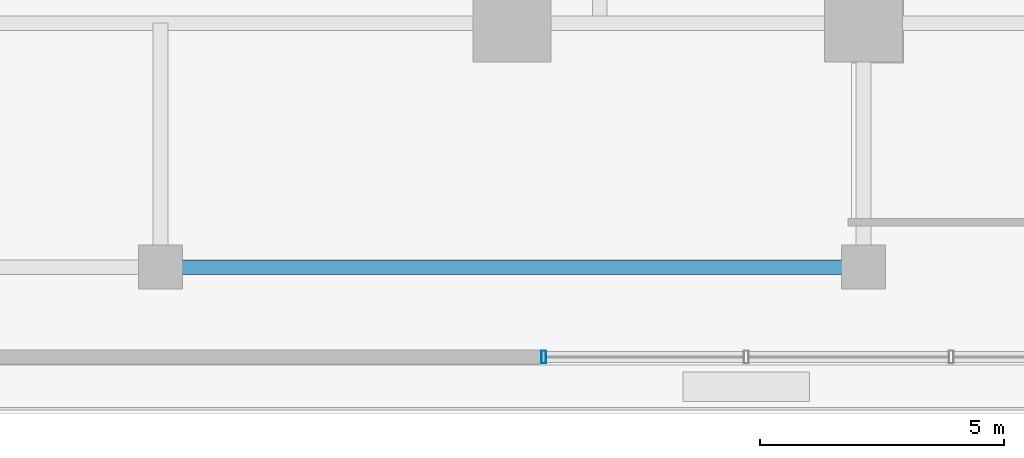
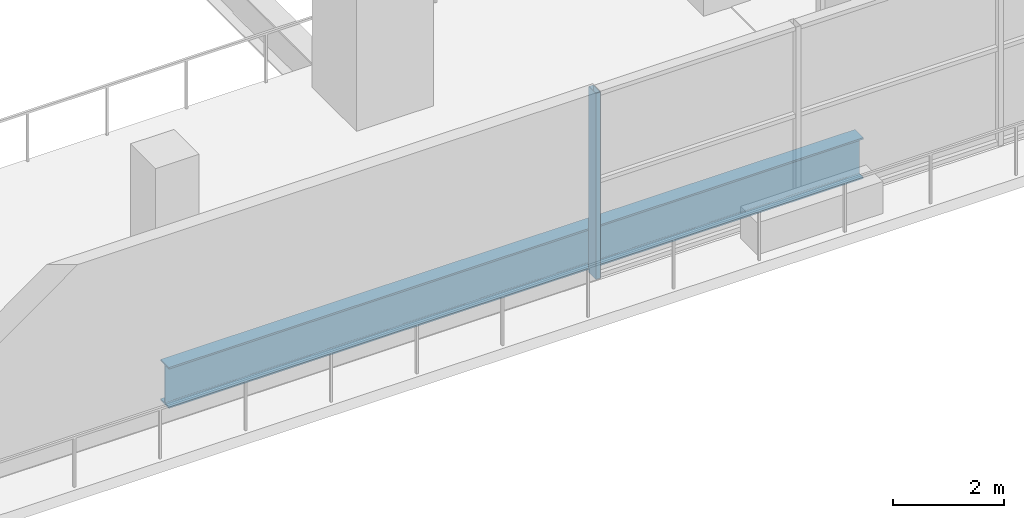
# One storey, part 4 of 21: 1 beam, 1 member, 1 element without a shape of its own.
"""IFC4 building model written with IfcOpenShell, lengths in metres."""

from ifc_helpers import new_model, si_unit, direction, frame, origin, origin_2d, place, context, subcontext, project, spatial, hollow_rectangle, i_section, extrude, source, transform, mapped, material, layer, layer_set, material_profile, profile_set, type_object, element, aggregate, save


model = new_model("IFC4")

# Units and contexts
model_context = context("Model", 3, precision=1e-05, world=origin(), true_north=direction((0.0, 1.0)))
body_context = subcontext(model_context, "Body", "Model", "MODEL_VIEW")
ifc_project = project(units=[si_unit("LENGTHUNIT", "METRE"), si_unit("AREAUNIT", "SQUARE_METRE"), si_unit("VOLUMEUNIT", "CUBIC_METRE"), si_unit("PLANEANGLEUNIT", "RADIAN"), si_unit("MASSUNIT", "GRAM", prefix="KILO")], contexts=[model_context])

# Site, building, storey
site_placement = place(None, origin())
site = spatial("IfcSite", under=ifc_project, at=site_placement, CompositionType="ELEMENT")
building_placement = place(site_placement, origin())
building = spatial("IfcBuilding", under=site, at=building_placement, Name="Zarnakvel Exchange Tower", CompositionType="ELEMENT")
storey_placement = place(building_placement, frame((0.0, 0.0, 5.0)))
storey = spatial("IfcBuildingStorey", under=building, at=storey_placement, Name="L01", CompositionType="ELEMENT", Elevation=5.0)

# Beam
ifc_material_1 = material(Name="Steel S355", Category="steel")
ifc_material_profile_1 = material_profile(ifc_material_1, i_section(OverallWidth=0.300048828125, OverallDepth=0.89990234375, WebThickness=0.0185546875, FlangeThickness=0.034912109375, FilletRadius=0.030029296875, at=origin_2d()))
ifc_profile_set_1 = profile_set([ifc_material_profile_1], Name="Steel S355")
beam_type = type_object("IfcBeamType", Name="G-01", PredefinedType="BEAM", material=ifc_profile_set_1)
beam_placement = place(storey_placement, frame((0.0, -23.199951171875, -0.75), z_axis=(1.0, 0.0, 0.0), x_axis=(0.0, 1.0, 0.0)))
element("IfcBeam", 1, at=beam_placement, inside=storey, type_object=beam_type, Name="L01 Primary E-W Girder Y=-23.2", PredefinedType="BEAM", context=body_context, shape_type="SweptSolid", body=[
    extrude(i_section(OverallWidth=0.300048828125, OverallDepth=0.89990234375, WebThickness=0.0185546875, FlangeThickness=0.034912109375, FilletRadius=0.030029296875, at=origin_2d()), origin(), (0.0, 0.0, 1.0), 14.39990234375),
])

# Curtain wall, member
ifc_material_2 = material(Name="Architectural Bronze Anodised Aluminium", Category="aluminium")
ifc_layer = layer(ifc_material_2, 0.260009765625)
ifc_layer_set = layer_set([ifc_layer], Name="Architectural Bronze Anodised Aluminium")
curtain_wall_type = type_object("IfcCurtainWallType", Name="CW-01", PredefinedType="NOTDEFINED", material=ifc_layer_set)
curtain_wall_placement = place(storey_placement, origin())
curtain_wall = element("IfcCurtainWall", 2, at=curtain_wall_placement, inside=storey, type_object=curtain_wall_type, Name="L01 Curtain Wall CW-L01-S2 (CW-01)", PredefinedType="NOTDEFINED")
ifc_material_profile_2 = material_profile(ifc_material_2, hollow_rectangle(XDim=0.260009765625, YDim=0.10009765625, WallThickness=0.006103515625, at=origin_2d()))
ifc_profile_set_2 = profile_set([ifc_material_profile_2], Name="Architectural Bronze Anodised Aluminium")
member_type = type_object("IfcMemberType", Name="CWM-01", PredefinedType="MULLION", material=ifc_profile_set_2)
shared_shape = source(origin(), body_context, "Body", "SweptSolid", [
    extrude(hollow_rectangle(XDim=0.260009765625, YDim=0.10009765625, WallThickness=0.006103515625, at=origin_2d()), origin(), (0.0, 0.0, 1.0), 4.080078125),
])
member_placement = place(storey_placement, frame((7.85009765625, -25.0400390625, 0.0), z_axis=(0.0, 0.0, 1.0), x_axis=(0.0, 1.0, 0.0)))
member = element("IfcMember", 3, at=member_placement, type_object=member_type, Name="CW-01 mullion 1", PredefinedType="MULLION", context=body_context, shape_type="MappedRepresentation", body=[
    mapped(shared_shape, transform((0.0, 0.0, 0.0), x_axis=(1.0, 0.0, 0.0), y_axis=(0.0, 1.0, 0.0), z_axis=(0.0, 0.0, 1.0), scale=1.0)),
])
aggregate(curtain_wall, [member])

save(model, "model.ifc")
